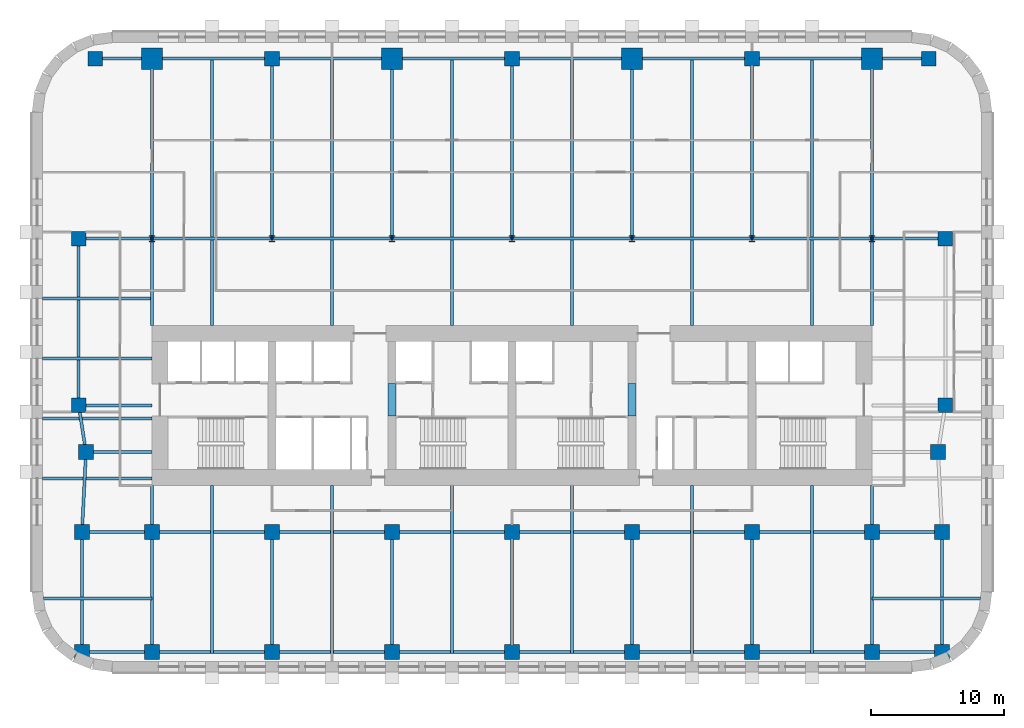
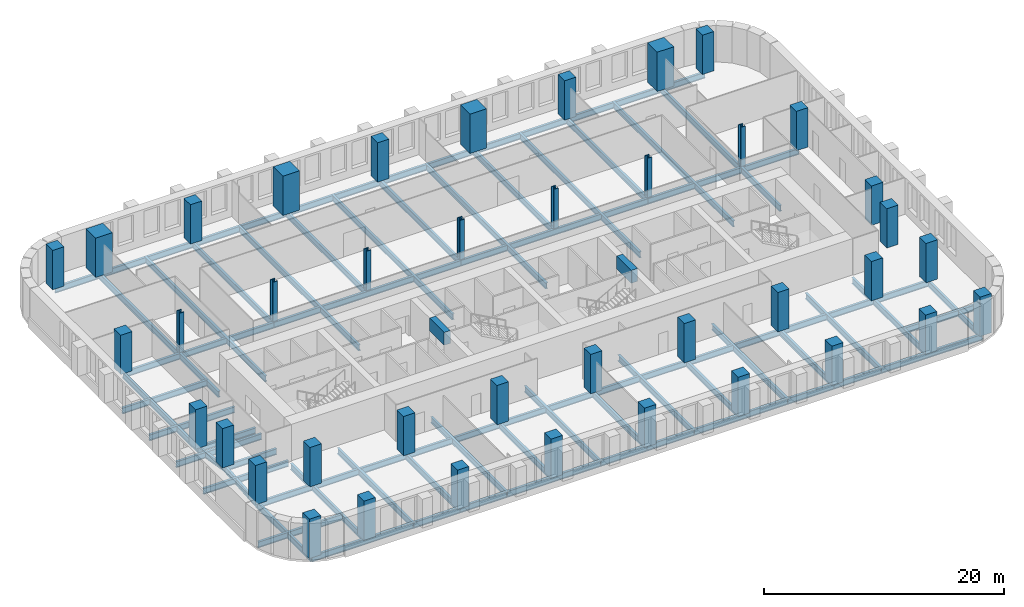
# One storey, part 1 of 12: 59 beams, 40 columns.
"""IFC4 building model written with IfcOpenShell, lengths in metres."""

from ifc_helpers import new_model, si_unit, direction, frame, origin, origin_2d, place, context, subcontext, project, spatial, rectangle, i_section, extrude, material, material_profile, profile_set, type_object, element, save


model = new_model("IFC4")

# Units and contexts
model_context = context("Model", 3, precision=1e-05, world=origin(), true_north=direction((0.0, 1.0)))
body_context = subcontext(model_context, "Body", "Model", "MODEL_VIEW")
ifc_project = project(units=[si_unit("LENGTHUNIT", "METRE"), si_unit("AREAUNIT", "SQUARE_METRE"), si_unit("VOLUMEUNIT", "CUBIC_METRE"), si_unit("PLANEANGLEUNIT", "RADIAN"), si_unit("MASSUNIT", "GRAM", prefix="KILO")], contexts=[model_context])

# Site, building, storey
site_placement = place(None, origin())
site = spatial("IfcSite", under=ifc_project, at=site_placement, CompositionType="ELEMENT")
building_placement = place(site_placement, origin())
building = spatial("IfcBuilding", under=site, at=building_placement, Name="Zellij Exchange Tower", CompositionType="ELEMENT")
storey_placement = place(building_placement, frame((0.0, 0.0, 96.5)))
storey = spatial("IfcBuildingStorey", under=building, at=storey_placement, Name="L20", CompositionType="ELEMENT", Elevation=96.5)

# Columns
ifc_material_1 = material(Name="Concrete C70/85", Category="concrete")
ifc_material_profile_1 = material_profile(ifc_material_1, rectangle(XDim=1.10009765625, YDim=1.10009765625, at=origin_2d()), Name="STR-COLUMN RC1100x1100 C70/85")
ifc_profile_set_1 = profile_set([ifc_material_profile_1], Name="Concrete C70/85")
column_type_1 = type_object("IfcColumnType", Name="STR-COLUMN RC1100x1100 C70/85", PredefinedType="COLUMN", material=ifc_profile_set_1)
for number, where, z_axis, x_axis, name in (
    (1, (-32.25, -26.5, 0.0), (0.0, 0.0, 1.0), (1.0, 0.0, 0.0), "C11"),
    (2, (-27.0, -26.5, 0.0), (0.0, 0.0, 1.0), (1.0, 0.0, 0.0), "C11"),
    (3, (-18.0, -26.5, 0.0), (0.0, 0.0, 1.0), (1.0, 0.0, 0.0), "C11"),
    (4, (-9.0, -26.5, 0.0), (0.0, 0.0, 1.0), (1.0, 0.0, 0.0), "C11"),
    (5, (0.0, -26.5, 0.0), (0.0, 0.0, 1.0), (1.0, 0.0, 0.0), "C11"),
    (6, (9.0, -26.5, 0.0), (0.0, 0.0, 1.0), (1.0, 0.0, 0.0), "C11"),
    (7, (18.0, -26.5, 0.0), (0.0, 0.0, 1.0), (1.0, 0.0, 0.0), "C11"),
    (8, (27.0, -26.5, 0.0), (0.0, 0.0, 1.0), (1.0, 0.0, 0.0), "C11"),
    (9, (32.25, -26.5, 0.0), (0.0, 0.0, 1.0), (1.0, 0.0, 0.0), "C11"),
    (10, (-32.25, -17.5, 0.0), (0.0, 0.0, 1.0), (1.0, 0.0, 0.0), "C11"),
    (11, (-27.0, -17.5, 0.0), (0.0, 0.0, 1.0), (1.0, 0.0, 0.0), "C11"),
    (12, (-18.0, -17.5, 0.0), (0.0, 0.0, 1.0), (1.0, 0.0, 0.0), "C11"),
    (13, (-9.0, -17.5, 0.0), (0.0, 0.0, 1.0), (1.0, 0.0, 0.0), "C11"),
    (14, (0.0, -17.5, 0.0), (0.0, 0.0, 1.0), (1.0, 0.0, 0.0), "C11"),
    (15, (9.0, -17.5, 0.0), (0.0, 0.0, 1.0), (1.0, 0.0, 0.0), "C11"),
    (16, (18.0, -17.5, 0.0), (0.0, 0.0, 1.0), (1.0, 0.0, 0.0), "C11"),
    (17, (27.0, -17.5, 0.0), (0.0, 0.0, 1.0), (1.0, 0.0, 0.0), "C11"),
    (18, (32.25, -17.5, 0.0), (0.0, 0.0, 1.0), (1.0, 0.0, 0.0), "C11"),
    (19, (-31.949951171875, -11.5, 0.0), (0.0, 0.0, 1.0), (1.0, 0.0, 0.0), "C11"),
    (20, (31.949951171875, -11.5, 0.0), (0.0, 0.0, 1.0), (1.0, 0.0, 0.0), "C11"),
    (21, (-32.5, -8.0, 0.0), (0.0, 0.0, 1.0), (1.0, 0.0, 0.0), "C11"),
    (22, (32.5, -8.0, 0.0), (0.0, 0.0, 1.0), (1.0, 0.0, 0.0), "C11"),
    (23, (-32.5, 4.5, 0.0), (0.0, 0.0, 1.0), (1.0, 0.0, 0.0), "C11"),
    (24, (32.5, 4.5, 0.0), (0.0, 0.0, 1.0), (1.0, 0.0, 0.0), "C11"),
    (25, (-31.25, 18.0, 0.0), (0.0, 0.0, 1.0), (1.0, 0.0, 0.0), "C11"),
    (26, (-18.0, 18.0, 0.0), (0.0, 0.0, 1.0), (1.0, 0.0, 0.0), "C11"),
    (27, (0.0, 18.0, 0.0), (0.0, 0.0, 1.0), (1.0, 0.0, 0.0), "C11"),
    (28, (18.0, 18.0, 0.0), (0.0, 0.0, 1.0), (1.0, 0.0, 0.0), "C11"),
    (29, (31.25, 18.0, 0.0), (0.0, 0.0, 1.0), (1.0, 0.0, 0.0), "C11"),
):
    element("IfcColumn", number, at=place(storey_placement, frame(where, z_axis=z_axis, x_axis=x_axis)), inside=storey, type_object=column_type_1, Name=name, PredefinedType="COLUMN", context=body_context, shape_type="SweptSolid", body=[
        extrude(rectangle(XDim=1.10009765625, YDim=1.10009765625, at=origin_2d()), origin(), (0.0, 0.0, 1.0), 4.0),
    ])
ifc_material_2 = material(Name="Structural steel ASTM A913 Gr 65", Category="steel")
ifc_material_profile_2 = material_profile(ifc_material_2, i_section(OverallWidth=0.431884765625, OverallDepth=0.497802734375, WebThickness=0.0556640625, FlangeThickness=0.0888671875, at=origin_2d()), Name="W14x500")
ifc_profile_set_2 = profile_set([ifc_material_profile_2], Name="Structural steel ASTM A913 Gr 65")
column_type_2 = type_object("IfcColumnType", Name="STR-COLUMN W14x500", PredefinedType="COLUMN", material=ifc_profile_set_2)
for number, where, z_axis, x_axis, name in (
    (30, (-27.0, 4.5, 0.0), (0.0, 0.0, 1.0), (1.0, 0.0, 0.0), "C5"),
    (31, (-18.0, 4.5, 0.0), (0.0, 0.0, 1.0), (1.0, 0.0, 0.0), "C5"),
    (32, (-9.0, 4.5, 0.0), (0.0, 0.0, 1.0), (1.0, 0.0, 0.0), "C5"),
    (33, (0.0, 4.5, 0.0), (0.0, 0.0, 1.0), (1.0, 0.0, 0.0), "C5"),
    (34, (9.0, 4.5, 0.0), (0.0, 0.0, 1.0), (1.0, 0.0, 0.0), "C5"),
    (35, (18.0, 4.5, 0.0), (0.0, 0.0, 1.0), (1.0, 0.0, 0.0), "C5"),
    (36, (27.0, 4.5, 0.0), (0.0, 0.0, 1.0), (1.0, 0.0, 0.0), "C5"),
):
    element("IfcColumn", number, at=place(storey_placement, frame(where, z_axis=z_axis, x_axis=x_axis)), inside=storey, type_object=column_type_2, Name=name, PredefinedType="COLUMN", context=body_context, shape_type="SweptSolid", body=[
        extrude(i_section(OverallWidth=0.431884765625, OverallDepth=0.497802734375, WebThickness=0.0556640625, FlangeThickness=0.0888671875, at=origin_2d()), origin(), (0.0, 0.0, 1.0), 4.0),
    ])
ifc_material_profile_3 = material_profile(ifc_material_1, rectangle(XDim=1.60009765625, YDim=1.60009765625, at=origin_2d()), Name="STR-MEGA COLUMN RC1600x1600 C70/85")
ifc_profile_set_3 = profile_set([ifc_material_profile_3], Name="Concrete C70/85")
column_type_3 = type_object("IfcColumnType", Name="STR-MEGA COLUMN RC1600x1600 C70/85", PredefinedType="COLUMN", material=ifc_profile_set_3)
for number, where, z_axis, x_axis, name in (
    (37, (-27.0, 18.0, 0.0), (0.0, 0.0, 1.0), (1.0, 0.0, 0.0), "MC6"),
    (38, (-9.0, 18.0, 0.0), (0.0, 0.0, 1.0), (1.0, 0.0, 0.0), "MC6"),
    (39, (9.0, 18.0, 0.0), (0.0, 0.0, 1.0), (1.0, 0.0, 0.0), "MC6"),
    (40, (27.0, 18.0, 0.0), (0.0, 0.0, 1.0), (1.0, 0.0, 0.0), "MC6"),
):
    element("IfcColumn", number, at=place(storey_placement, frame(where, z_axis=z_axis, x_axis=x_axis)), inside=storey, type_object=column_type_3, Name=name, PredefinedType="COLUMN", context=body_context, shape_type="SweptSolid", body=[
        extrude(rectangle(XDim=1.60009765625, YDim=1.60009765625, at=origin_2d()), origin(), (0.0, 0.0, 1.0), 4.0),
    ])

# Beams
ifc_material_profile_4 = material_profile(ifc_material_1, rectangle(XDim=0.60009765625, YDim=1.300048828125, at=origin_2d()), Name="CORE-CB 600x1300 C70/85")
ifc_profile_set_4 = profile_set([ifc_material_profile_4], Name="Concrete C70/85")
beam_type_1 = type_object("IfcBeamType", Name="CORE-CB 600x1300 C70/85", PredefinedType="BEAM", material=ifc_profile_set_4)
for number, where, z_axis, x_axis, name in (
    (41, (-9.0, -8.800048828125, 3.050048828125), (0.0, 1.0, 0.0), (-1.0, 0.0, 0.0), "Core coupling beam x -9 L20"),
    (42, (9.0, -8.800048828125, 3.050048828125), (0.0, 1.0, 0.0), (-1.0, 0.0, 0.0), "Core coupling beam x 9 L20"),
):
    element("IfcBeam", number, at=place(storey_placement, frame(where, z_axis=z_axis, x_axis=x_axis)), inside=storey, type_object=beam_type_1, Name=name, PredefinedType="BEAM", context=body_context, shape_type="SweptSolid", body=[
        extrude(rectangle(XDim=0.60009765625, YDim=1.300048828125, at=origin_2d()), origin(), (0.0, 0.0, 1.0), 2.425048828125),
    ])
ifc_material_3 = material(Name="Structural steel ASTM A992 Gr 50", Category="steel")
ifc_material_profile_5 = material_profile(ifc_material_3, i_section(OverallWidth=0.227783203125, OverallDepth=0.60205078125, WebThickness=0.010498046875, FlangeThickness=0.014892578125, at=origin_2d()), Name="W24x68")
ifc_profile_set_5 = profile_set([ifc_material_profile_5], Name="Structural steel ASTM A992 Gr 50")
beam_type_2 = type_object("IfcBeamType", Name="STR-BEAM W24x68", PredefinedType="BEAM", material=ifc_profile_set_5)
beam_1_placement = place(storey_placement, frame((-22.5, -26.614501953125, -0.5009765625), z_axis=(0.0, 1.0, 0.0), x_axis=(-1.0, 0.0, 0.0)))
element("IfcBeam", 43, at=beam_1_placement, inside=storey, type_object=beam_type_2, Name="B5", PredefinedType="BEAM", context=body_context, shape_type="SweptSolid", body=[
    extrude(i_section(OverallWidth=0.227783203125, OverallDepth=0.60205078125, WebThickness=0.010498046875, FlangeThickness=0.014892578125, at=origin_2d()), origin(), (0.0, 0.0, 1.0), 12.614501953125),
])
beam_2_placement = place(storey_placement, frame((-22.5, -2.0, -0.5009765625), z_axis=(0.0, 1.0, 0.0), x_axis=(-1.0, 0.0, 0.0)))
element("IfcBeam", 44, at=beam_2_placement, inside=storey, type_object=beam_type_2, Name="B5", PredefinedType="BEAM", context=body_context, shape_type="SweptSolid", body=[
    extrude(i_section(OverallWidth=0.227783203125, OverallDepth=0.60205078125, WebThickness=0.010498046875, FlangeThickness=0.014892578125, at=origin_2d()), origin(), (0.0, 0.0, 1.0), 20.114501953125),
])
beam_3_placement = place(storey_placement, frame((-13.5, -26.614501953125, -0.5009765625), z_axis=(0.0, 1.0, 0.0), x_axis=(-1.0, 0.0, 0.0)))
element("IfcBeam", 45, at=beam_3_placement, inside=storey, type_object=beam_type_2, Name="B5", PredefinedType="BEAM", context=body_context, shape_type="SweptSolid", body=[
    extrude(i_section(OverallWidth=0.227783203125, OverallDepth=0.60205078125, WebThickness=0.010498046875, FlangeThickness=0.014892578125, at=origin_2d()), origin(), (0.0, 0.0, 1.0), 12.614501953125),
])
beam_4_placement = place(storey_placement, frame((-13.5, -2.0, -0.5009765625), z_axis=(0.0, 1.0, 0.0), x_axis=(-1.0, 0.0, 0.0)))
element("IfcBeam", 46, at=beam_4_placement, inside=storey, type_object=beam_type_2, Name="B5", PredefinedType="BEAM", context=body_context, shape_type="SweptSolid", body=[
    extrude(i_section(OverallWidth=0.227783203125, OverallDepth=0.60205078125, WebThickness=0.010498046875, FlangeThickness=0.014892578125, at=origin_2d()), origin(), (0.0, 0.0, 1.0), 20.114501953125),
])
beam_5_placement = place(storey_placement, frame((-4.5, -26.614501953125, -0.5009765625), z_axis=(0.0, 1.0, 0.0), x_axis=(-1.0, 0.0, 0.0)))
element("IfcBeam", 47, at=beam_5_placement, inside=storey, type_object=beam_type_2, Name="B5", PredefinedType="BEAM", context=body_context, shape_type="SweptSolid", body=[
    extrude(i_section(OverallWidth=0.227783203125, OverallDepth=0.60205078125, WebThickness=0.010498046875, FlangeThickness=0.014892578125, at=origin_2d()), origin(), (0.0, 0.0, 1.0), 12.614501953125),
])
beam_6_placement = place(storey_placement, frame((-4.5, -2.0, -0.5009765625), z_axis=(0.0, 1.0, 0.0), x_axis=(-1.0, 0.0, 0.0)))
element("IfcBeam", 48, at=beam_6_placement, inside=storey, type_object=beam_type_2, Name="B5", PredefinedType="BEAM", context=body_context, shape_type="SweptSolid", body=[
    extrude(i_section(OverallWidth=0.227783203125, OverallDepth=0.60205078125, WebThickness=0.010498046875, FlangeThickness=0.014892578125, at=origin_2d()), origin(), (0.0, 0.0, 1.0), 20.114501953125),
])
beam_7_placement = place(storey_placement, frame((4.5, -26.614501953125, -0.5009765625), z_axis=(0.0, 1.0, 0.0), x_axis=(-1.0, 0.0, 0.0)))
element("IfcBeam", 49, at=beam_7_placement, inside=storey, type_object=beam_type_2, Name="B5", PredefinedType="BEAM", context=body_context, shape_type="SweptSolid", body=[
    extrude(i_section(OverallWidth=0.227783203125, OverallDepth=0.60205078125, WebThickness=0.010498046875, FlangeThickness=0.014892578125, at=origin_2d()), origin(), (0.0, 0.0, 1.0), 12.614501953125),
])
beam_8_placement = place(storey_placement, frame((4.5, -2.0, -0.5009765625), z_axis=(0.0, 1.0, 0.0), x_axis=(-1.0, 0.0, 0.0)))
element("IfcBeam", 50, at=beam_8_placement, inside=storey, type_object=beam_type_2, Name="B5", PredefinedType="BEAM", context=body_context, shape_type="SweptSolid", body=[
    extrude(i_section(OverallWidth=0.227783203125, OverallDepth=0.60205078125, WebThickness=0.010498046875, FlangeThickness=0.014892578125, at=origin_2d()), origin(), (0.0, 0.0, 1.0), 20.114501953125),
])
beam_9_placement = place(storey_placement, frame((13.5, -26.614501953125, -0.5009765625), z_axis=(0.0, 1.0, 0.0), x_axis=(-1.0, 0.0, 0.0)))
element("IfcBeam", 51, at=beam_9_placement, inside=storey, type_object=beam_type_2, Name="B5", PredefinedType="BEAM", context=body_context, shape_type="SweptSolid", body=[
    extrude(i_section(OverallWidth=0.227783203125, OverallDepth=0.60205078125, WebThickness=0.010498046875, FlangeThickness=0.014892578125, at=origin_2d()), origin(), (0.0, 0.0, 1.0), 12.614501953125),
])
beam_10_placement = place(storey_placement, frame((13.5, -2.0, -0.5009765625), z_axis=(0.0, 1.0, 0.0), x_axis=(-1.0, 0.0, 0.0)))
element("IfcBeam", 52, at=beam_10_placement, inside=storey, type_object=beam_type_2, Name="B5", PredefinedType="BEAM", context=body_context, shape_type="SweptSolid", body=[
    extrude(i_section(OverallWidth=0.227783203125, OverallDepth=0.60205078125, WebThickness=0.010498046875, FlangeThickness=0.014892578125, at=origin_2d()), origin(), (0.0, 0.0, 1.0), 20.114501953125),
])
beam_11_placement = place(storey_placement, frame((22.5, -26.614501953125, -0.5009765625), z_axis=(0.0, 1.0, 0.0), x_axis=(-1.0, 0.0, 0.0)))
element("IfcBeam", 53, at=beam_11_placement, inside=storey, type_object=beam_type_2, Name="B5", PredefinedType="BEAM", context=body_context, shape_type="SweptSolid", body=[
    extrude(i_section(OverallWidth=0.227783203125, OverallDepth=0.60205078125, WebThickness=0.010498046875, FlangeThickness=0.014892578125, at=origin_2d()), origin(), (0.0, 0.0, 1.0), 12.614501953125),
])
beam_12_placement = place(storey_placement, frame((22.5, -2.0, -0.5009765625), z_axis=(0.0, 1.0, 0.0), x_axis=(-1.0, 0.0, 0.0)))
element("IfcBeam", 54, at=beam_12_placement, inside=storey, type_object=beam_type_2, Name="B5", PredefinedType="BEAM", context=body_context, shape_type="SweptSolid", body=[
    extrude(i_section(OverallWidth=0.227783203125, OverallDepth=0.60205078125, WebThickness=0.010498046875, FlangeThickness=0.014892578125, at=origin_2d()), origin(), (0.0, 0.0, 1.0), 20.114501953125),
])
beam_13_placement = place(storey_placement, frame((-35.126953125, -22.5, -0.5009765625), z_axis=(1.0, 0.0, 0.0), x_axis=(0.0, 1.0, 0.0)))
element("IfcBeam", 55, at=beam_13_placement, inside=storey, type_object=beam_type_2, Name="B5", PredefinedType="BEAM", context=body_context, shape_type="SweptSolid", body=[
    extrude(i_section(OverallWidth=0.227783203125, OverallDepth=0.60205078125, WebThickness=0.010498046875, FlangeThickness=0.014892578125, at=origin_2d()), origin(), (0.0, 0.0, 1.0), 8.126953125),
])
for number, where, z_axis, x_axis, name in (
    (56, (-35.199951171875, -13.5, -0.5009765625), (1.0, 0.0, 0.0), (0.0, 1.0, 0.0), "B5"),
    (57, (-35.199951171875, -9.0, -0.5009765625), (1.0, 0.0, 0.0), (0.0, 1.0, 0.0), "B5"),
    (58, (-35.199951171875, -4.5, -0.5009765625), (1.0, 0.0, 0.0), (0.0, 1.0, 0.0), "B5"),
    (59, (-35.199951171875, 0.0, -0.5009765625), (1.0, 0.0, 0.0), (0.0, 1.0, 0.0), "B5"),
):
    element("IfcBeam", number, at=place(storey_placement, frame(where, z_axis=z_axis, x_axis=x_axis)), inside=storey, type_object=beam_type_2, Name=name, PredefinedType="BEAM", context=body_context, shape_type="SweptSolid", body=[
        extrude(i_section(OverallWidth=0.227783203125, OverallDepth=0.60205078125, WebThickness=0.010498046875, FlangeThickness=0.014892578125, at=origin_2d()), origin(), (0.0, 0.0, 1.0), 8.199951171875),
    ])
beam_14_placement = place(storey_placement, frame((27.0, -22.5, -0.5009765625), z_axis=(1.0, 0.0, 0.0), x_axis=(0.0, 1.0, 0.0)))
element("IfcBeam", 60, at=beam_14_placement, inside=storey, type_object=beam_type_2, Name="B5", PredefinedType="BEAM", context=body_context, shape_type="SweptSolid", body=[
    extrude(i_section(OverallWidth=0.227783203125, OverallDepth=0.60205078125, WebThickness=0.010498046875, FlangeThickness=0.014892578125, at=origin_2d()), origin(), (0.0, 0.0, 1.0), 8.126953125),
])
ifc_material_profile_6 = material_profile(ifc_material_3, i_section(OverallWidth=0.22900390625, OverallDepth=0.612060546875, WebThickness=0.011962890625, FlangeThickness=0.01953125, at=origin_2d()), Name="W24x84")
ifc_profile_set_6 = profile_set([ifc_material_profile_6], Name="Structural steel ASTM A992 Gr 50")
beam_type_3 = type_object("IfcBeamType", Name="STR-EDGE GIRDER W24x84", PredefinedType="BEAM", material=ifc_profile_set_6)
beam_15_placement = place(storey_placement, frame((-32.25, -26.5, -0.506103515625), z_axis=(0.0, 1.0, 0.0), x_axis=(-1.0, 0.0, 0.0)))
element("IfcBeam", 61, at=beam_15_placement, inside=storey, type_object=beam_type_3, Name="EB6", PredefinedType="BEAM", context=body_context, shape_type="SweptSolid", body=[
    extrude(i_section(OverallWidth=0.22900390625, OverallDepth=0.612060546875, WebThickness=0.011962890625, FlangeThickness=0.01953125, at=origin_2d()), origin(), (0.0, 0.0, 1.0), 9.0),
])
beam_16_placement = place(storey_placement, frame((-32.25, -17.5, -0.506103515625), z_axis=(0.049945724537, 0.998751933465, 0.0), x_axis=(-0.998751933465, 0.049945724537, 0.0)))
element("IfcBeam", 62, at=beam_16_placement, inside=storey, type_object=beam_type_3, Name="EB6", PredefinedType="BEAM", context=body_context, shape_type="SweptSolid", body=[
    extrude(i_section(OverallWidth=0.22900390625, OverallDepth=0.612060546875, WebThickness=0.011962890625, FlangeThickness=0.01953125, at=origin_2d()), origin(), (0.0, 0.0, 1.0), 6.007568359375),
])
beam_17_placement = place(storey_placement, frame((-31.949951171875, -11.5, -0.506103515625), z_axis=(-0.155251283593, 0.987875011802, 0.0), x_axis=(-0.987875011802, -0.155251283593, 0.0)))
element("IfcBeam", 63, at=beam_17_placement, inside=storey, type_object=beam_type_3, Name="EB6", PredefinedType="BEAM", context=body_context, shape_type="SweptSolid", body=[
    extrude(i_section(OverallWidth=0.22900390625, OverallDepth=0.612060546875, WebThickness=0.011962890625, FlangeThickness=0.01953125, at=origin_2d()), origin(), (0.0, 0.0, 1.0), 3.54296875),
])
beam_18_placement = place(storey_placement, frame((-32.5, -8.0, -0.506103515625), z_axis=(0.0, 1.0, 0.0), x_axis=(-1.0, 0.0, 0.0)))
element("IfcBeam", 64, at=beam_18_placement, inside=storey, type_object=beam_type_3, Name="EB6", PredefinedType="BEAM", context=body_context, shape_type="SweptSolid", body=[
    extrude(i_section(OverallWidth=0.22900390625, OverallDepth=0.612060546875, WebThickness=0.011962890625, FlangeThickness=0.01953125, at=origin_2d()), origin(), (0.0, 0.0, 1.0), 12.5),
])
beam_19_placement = place(storey_placement, frame((32.25, -26.5, -0.506103515625), z_axis=(0.0, 1.0, 0.0), x_axis=(-1.0, 0.0, 0.0)))
element("IfcBeam", 65, at=beam_19_placement, inside=storey, type_object=beam_type_3, Name="EB6", PredefinedType="BEAM", context=body_context, shape_type="SweptSolid", body=[
    extrude(i_section(OverallWidth=0.22900390625, OverallDepth=0.612060546875, WebThickness=0.011962890625, FlangeThickness=0.01953125, at=origin_2d()), origin(), (0.0, 0.0, 1.0), 9.0),
])
ifc_material_profile_7 = material_profile(ifc_material_3, i_section(OverallWidth=0.22900390625, OverallDepth=0.612060546875, WebThickness=0.011962890625, FlangeThickness=0.01953125, at=origin_2d()), Name="W24x84")
ifc_profile_set_7 = profile_set([ifc_material_profile_7], Name="Structural steel ASTM A992 Gr 50")
beam_type_4 = type_object("IfcBeamType", Name="STR-GIRDER W24x84", PredefinedType="BEAM", material=ifc_profile_set_7)
beam_20_placement = place(storey_placement, frame((-32.25, -26.5, -0.506103515625), z_axis=(1.0, 0.0, 0.0), x_axis=(0.0, 1.0, 0.0)))
element("IfcBeam", 66, at=beam_20_placement, inside=storey, type_object=beam_type_4, Name="G4", PredefinedType="BEAM", context=body_context, shape_type="SweptSolid", body=[
    extrude(i_section(OverallWidth=0.22900390625, OverallDepth=0.612060546875, WebThickness=0.011962890625, FlangeThickness=0.01953125, at=origin_2d()), origin(), (0.0, 0.0, 1.0), 14.25),
])
for number, where, z_axis, x_axis, name in (
    (67, (-18.0, -26.5, -0.506103515625), (1.0, 0.0, 0.0), (0.0, 1.0, 0.0), "G4"),
    (68, (0.0, -26.5, -0.506103515625), (1.0, 0.0, 0.0), (0.0, 1.0, 0.0), "G4"),
):
    element("IfcBeam", number, at=place(storey_placement, frame(where, z_axis=z_axis, x_axis=x_axis)), inside=storey, type_object=beam_type_4, Name=name, PredefinedType="BEAM", context=body_context, shape_type="SweptSolid", body=[
        extrude(i_section(OverallWidth=0.22900390625, OverallDepth=0.612060546875, WebThickness=0.011962890625, FlangeThickness=0.01953125, at=origin_2d()), origin(), (0.0, 0.0, 1.0), 18.0),
    ])
for number, where, z_axis, x_axis, name in (
    (69, (18.0, -26.5, -0.506103515625), (1.0, 0.0, 0.0), (0.0, 1.0, 0.0), "G4"),
    (70, (-32.25, -17.5, -0.506103515625), (1.0, 0.0, 0.0), (0.0, 1.0, 0.0), "G4"),
):
    element("IfcBeam", number, at=place(storey_placement, frame(where, z_axis=z_axis, x_axis=x_axis)), inside=storey, type_object=beam_type_4, Name=name, PredefinedType="BEAM", context=body_context, shape_type="SweptSolid", body=[
        extrude(i_section(OverallWidth=0.22900390625, OverallDepth=0.612060546875, WebThickness=0.011962890625, FlangeThickness=0.01953125, at=origin_2d()), origin(), (0.0, 0.0, 1.0), 14.25),
    ])
for number, where, z_axis, x_axis, name in (
    (71, (-18.0, -17.5, -0.506103515625), (1.0, 0.0, 0.0), (0.0, 1.0, 0.0), "G4"),
    (72, (0.0, -17.5, -0.506103515625), (1.0, 0.0, 0.0), (0.0, 1.0, 0.0), "G4"),
):
    element("IfcBeam", number, at=place(storey_placement, frame(where, z_axis=z_axis, x_axis=x_axis)), inside=storey, type_object=beam_type_4, Name=name, PredefinedType="BEAM", context=body_context, shape_type="SweptSolid", body=[
        extrude(i_section(OverallWidth=0.22900390625, OverallDepth=0.612060546875, WebThickness=0.011962890625, FlangeThickness=0.01953125, at=origin_2d()), origin(), (0.0, 0.0, 1.0), 18.0),
    ])
beam_21_placement = place(storey_placement, frame((18.0, -17.5, -0.506103515625), z_axis=(1.0, 0.0, 0.0), x_axis=(0.0, 1.0, 0.0)))
element("IfcBeam", 73, at=beam_21_placement, inside=storey, type_object=beam_type_4, Name="G4", PredefinedType="BEAM", context=body_context, shape_type="SweptSolid", body=[
    extrude(i_section(OverallWidth=0.22900390625, OverallDepth=0.612060546875, WebThickness=0.011962890625, FlangeThickness=0.01953125, at=origin_2d()), origin(), (0.0, 0.0, 1.0), 14.25),
])
beam_22_placement = place(storey_placement, frame((-31.949951171875, -11.5, -0.506103515625), z_axis=(1.0, 0.0, 0.0), x_axis=(0.0, 1.0, 0.0)))
element("IfcBeam", 74, at=beam_22_placement, inside=storey, type_object=beam_type_4, Name="G4", PredefinedType="BEAM", context=body_context, shape_type="SweptSolid", body=[
    extrude(i_section(OverallWidth=0.22900390625, OverallDepth=0.612060546875, WebThickness=0.011962890625, FlangeThickness=0.01953125, at=origin_2d()), origin(), (0.0, 0.0, 1.0), 4.949951171875),
])
beam_23_placement = place(storey_placement, frame((-32.5, -8.0, -0.506103515625), z_axis=(1.0, 0.0, 0.0), x_axis=(0.0, 1.0, 0.0)))
element("IfcBeam", 75, at=beam_23_placement, inside=storey, type_object=beam_type_4, Name="G4", PredefinedType="BEAM", context=body_context, shape_type="SweptSolid", body=[
    extrude(i_section(OverallWidth=0.22900390625, OverallDepth=0.612060546875, WebThickness=0.011962890625, FlangeThickness=0.01953125, at=origin_2d()), origin(), (0.0, 0.0, 1.0), 5.5),
])
beam_24_placement = place(storey_placement, frame((-32.5, 4.5, -0.506103515625), z_axis=(1.0, 0.0, 0.0), x_axis=(0.0, 1.0, 0.0)))
element("IfcBeam", 76, at=beam_24_placement, inside=storey, type_object=beam_type_4, Name="G4", PredefinedType="BEAM", context=body_context, shape_type="SweptSolid", body=[
    extrude(i_section(OverallWidth=0.22900390625, OverallDepth=0.612060546875, WebThickness=0.011962890625, FlangeThickness=0.01953125, at=origin_2d()), origin(), (0.0, 0.0, 1.0), 14.5),
])
for number, where, z_axis, x_axis, name in (
    (77, (-18.0, 4.5, -0.506103515625), (1.0, 0.0, 0.0), (0.0, 1.0, 0.0), "G4"),
    (78, (0.0, 4.5, -0.506103515625), (1.0, 0.0, 0.0), (0.0, 1.0, 0.0), "G4"),
):
    element("IfcBeam", number, at=place(storey_placement, frame(where, z_axis=z_axis, x_axis=x_axis)), inside=storey, type_object=beam_type_4, Name=name, PredefinedType="BEAM", context=body_context, shape_type="SweptSolid", body=[
        extrude(i_section(OverallWidth=0.22900390625, OverallDepth=0.612060546875, WebThickness=0.011962890625, FlangeThickness=0.01953125, at=origin_2d()), origin(), (0.0, 0.0, 1.0), 18.0),
    ])
beam_25_placement = place(storey_placement, frame((18.0, 4.5, -0.506103515625), z_axis=(1.0, 0.0, 0.0), x_axis=(0.0, 1.0, 0.0)))
element("IfcBeam", 79, at=beam_25_placement, inside=storey, type_object=beam_type_4, Name="G4", PredefinedType="BEAM", context=body_context, shape_type="SweptSolid", body=[
    extrude(i_section(OverallWidth=0.22900390625, OverallDepth=0.612060546875, WebThickness=0.011962890625, FlangeThickness=0.01953125, at=origin_2d()), origin(), (0.0, 0.0, 1.0), 14.5),
])
beam_26_placement = place(storey_placement, frame((-31.25, 18.0, -0.506103515625), z_axis=(1.0, 0.0, 0.0), x_axis=(0.0, 1.0, 0.0)))
element("IfcBeam", 80, at=beam_26_placement, inside=storey, type_object=beam_type_4, Name="G4", PredefinedType="BEAM", context=body_context, shape_type="SweptSolid", body=[
    extrude(i_section(OverallWidth=0.22900390625, OverallDepth=0.612060546875, WebThickness=0.011962890625, FlangeThickness=0.01953125, at=origin_2d()), origin(), (0.0, 0.0, 1.0), 13.25),
])
for number, where, z_axis, x_axis, name in (
    (81, (-18.0, 18.0, -0.506103515625), (1.0, 0.0, 0.0), (0.0, 1.0, 0.0), "G4"),
    (82, (0.0, 18.0, -0.506103515625), (1.0, 0.0, 0.0), (0.0, 1.0, 0.0), "G4"),
):
    element("IfcBeam", number, at=place(storey_placement, frame(where, z_axis=z_axis, x_axis=x_axis)), inside=storey, type_object=beam_type_4, Name=name, PredefinedType="BEAM", context=body_context, shape_type="SweptSolid", body=[
        extrude(i_section(OverallWidth=0.22900390625, OverallDepth=0.612060546875, WebThickness=0.011962890625, FlangeThickness=0.01953125, at=origin_2d()), origin(), (0.0, 0.0, 1.0), 18.0),
    ])
beam_27_placement = place(storey_placement, frame((18.0, 18.0, -0.506103515625), z_axis=(1.0, 0.0, 0.0), x_axis=(0.0, 1.0, 0.0)))
element("IfcBeam", 83, at=beam_27_placement, inside=storey, type_object=beam_type_4, Name="G4", PredefinedType="BEAM", context=body_context, shape_type="SweptSolid", body=[
    extrude(i_section(OverallWidth=0.22900390625, OverallDepth=0.612060546875, WebThickness=0.011962890625, FlangeThickness=0.01953125, at=origin_2d()), origin(), (0.0, 0.0, 1.0), 13.25),
])
beam_28_placement = place(storey_placement, frame((-27.0, -26.5, -0.506103515625), z_axis=(0.0, 1.0, 0.0), x_axis=(-1.0, 0.0, 0.0)))
element("IfcBeam", 84, at=beam_28_placement, inside=storey, type_object=beam_type_4, Name="G4", PredefinedType="BEAM", context=body_context, shape_type="SweptSolid", body=[
    extrude(i_section(OverallWidth=0.22900390625, OverallDepth=0.612060546875, WebThickness=0.011962890625, FlangeThickness=0.01953125, at=origin_2d()), origin(), (0.0, 0.0, 1.0), 12.5),
])
beam_29_placement = place(storey_placement, frame((-27.0, -2.0, -0.506103515625), z_axis=(0.0, 1.0, 0.0), x_axis=(-1.0, 0.0, 0.0)))
element("IfcBeam", 85, at=beam_29_placement, inside=storey, type_object=beam_type_4, Name="G4", PredefinedType="BEAM", context=body_context, shape_type="SweptSolid", body=[
    extrude(i_section(OverallWidth=0.22900390625, OverallDepth=0.612060546875, WebThickness=0.011962890625, FlangeThickness=0.01953125, at=origin_2d()), origin(), (0.0, 0.0, 1.0), 6.5),
])
beam_30_placement = place(storey_placement, frame((-27.0, 4.5, -0.506103515625), z_axis=(0.0, 1.0, 0.0), x_axis=(-1.0, 0.0, 0.0)))
element("IfcBeam", 86, at=beam_30_placement, inside=storey, type_object=beam_type_4, Name="G4", PredefinedType="BEAM", context=body_context, shape_type="SweptSolid", body=[
    extrude(i_section(OverallWidth=0.22900390625, OverallDepth=0.612060546875, WebThickness=0.011962890625, FlangeThickness=0.01953125, at=origin_2d()), origin(), (0.0, 0.0, 1.0), 13.5),
])
beam_31_placement = place(storey_placement, frame((-18.0, -26.5, -0.506103515625), z_axis=(0.0, 1.0, 0.0), x_axis=(-1.0, 0.0, 0.0)))
element("IfcBeam", 87, at=beam_31_placement, inside=storey, type_object=beam_type_4, Name="G4", PredefinedType="BEAM", context=body_context, shape_type="SweptSolid", body=[
    extrude(i_section(OverallWidth=0.22900390625, OverallDepth=0.612060546875, WebThickness=0.011962890625, FlangeThickness=0.01953125, at=origin_2d()), origin(), (0.0, 0.0, 1.0), 9.0),
])
beam_32_placement = place(storey_placement, frame((-18.0, 4.5, -0.506103515625), z_axis=(0.0, 1.0, 0.0), x_axis=(-1.0, 0.0, 0.0)))
element("IfcBeam", 88, at=beam_32_placement, inside=storey, type_object=beam_type_4, Name="G4", PredefinedType="BEAM", context=body_context, shape_type="SweptSolid", body=[
    extrude(i_section(OverallWidth=0.22900390625, OverallDepth=0.612060546875, WebThickness=0.011962890625, FlangeThickness=0.01953125, at=origin_2d()), origin(), (0.0, 0.0, 1.0), 13.5),
])
beam_33_placement = place(storey_placement, frame((-9.0, -26.5, -0.506103515625), z_axis=(0.0, 1.0, 0.0), x_axis=(-1.0, 0.0, 0.0)))
element("IfcBeam", 89, at=beam_33_placement, inside=storey, type_object=beam_type_4, Name="G4", PredefinedType="BEAM", context=body_context, shape_type="SweptSolid", body=[
    extrude(i_section(OverallWidth=0.22900390625, OverallDepth=0.612060546875, WebThickness=0.011962890625, FlangeThickness=0.01953125, at=origin_2d()), origin(), (0.0, 0.0, 1.0), 9.0),
])
beam_34_placement = place(storey_placement, frame((-9.0, 4.5, -0.506103515625), z_axis=(0.0, 1.0, 0.0), x_axis=(-1.0, 0.0, 0.0)))
element("IfcBeam", 90, at=beam_34_placement, inside=storey, type_object=beam_type_4, Name="G4", PredefinedType="BEAM", context=body_context, shape_type="SweptSolid", body=[
    extrude(i_section(OverallWidth=0.22900390625, OverallDepth=0.612060546875, WebThickness=0.011962890625, FlangeThickness=0.01953125, at=origin_2d()), origin(), (0.0, 0.0, 1.0), 13.5),
])
beam_35_placement = place(storey_placement, frame((0.0, -26.5, -0.506103515625), z_axis=(0.0, 1.0, 0.0), x_axis=(-1.0, 0.0, 0.0)))
element("IfcBeam", 91, at=beam_35_placement, inside=storey, type_object=beam_type_4, Name="G4", PredefinedType="BEAM", context=body_context, shape_type="SweptSolid", body=[
    extrude(i_section(OverallWidth=0.22900390625, OverallDepth=0.612060546875, WebThickness=0.011962890625, FlangeThickness=0.01953125, at=origin_2d()), origin(), (0.0, 0.0, 1.0), 9.0),
])
beam_36_placement = place(storey_placement, frame((0.0, 4.5, -0.506103515625), z_axis=(0.0, 1.0, 0.0), x_axis=(-1.0, 0.0, 0.0)))
element("IfcBeam", 92, at=beam_36_placement, inside=storey, type_object=beam_type_4, Name="G4", PredefinedType="BEAM", context=body_context, shape_type="SweptSolid", body=[
    extrude(i_section(OverallWidth=0.22900390625, OverallDepth=0.612060546875, WebThickness=0.011962890625, FlangeThickness=0.01953125, at=origin_2d()), origin(), (0.0, 0.0, 1.0), 13.5),
])
beam_37_placement = place(storey_placement, frame((9.0, -26.5, -0.506103515625), z_axis=(0.0, 1.0, 0.0), x_axis=(-1.0, 0.0, 0.0)))
element("IfcBeam", 93, at=beam_37_placement, inside=storey, type_object=beam_type_4, Name="G4", PredefinedType="BEAM", context=body_context, shape_type="SweptSolid", body=[
    extrude(i_section(OverallWidth=0.22900390625, OverallDepth=0.612060546875, WebThickness=0.011962890625, FlangeThickness=0.01953125, at=origin_2d()), origin(), (0.0, 0.0, 1.0), 9.0),
])
beam_38_placement = place(storey_placement, frame((9.0, 4.5, -0.506103515625), z_axis=(0.0, 1.0, 0.0), x_axis=(-1.0, 0.0, 0.0)))
element("IfcBeam", 94, at=beam_38_placement, inside=storey, type_object=beam_type_4, Name="G4", PredefinedType="BEAM", context=body_context, shape_type="SweptSolid", body=[
    extrude(i_section(OverallWidth=0.22900390625, OverallDepth=0.612060546875, WebThickness=0.011962890625, FlangeThickness=0.01953125, at=origin_2d()), origin(), (0.0, 0.0, 1.0), 13.5),
])
beam_39_placement = place(storey_placement, frame((18.0, -26.5, -0.506103515625), z_axis=(0.0, 1.0, 0.0), x_axis=(-1.0, 0.0, 0.0)))
element("IfcBeam", 95, at=beam_39_placement, inside=storey, type_object=beam_type_4, Name="G4", PredefinedType="BEAM", context=body_context, shape_type="SweptSolid", body=[
    extrude(i_section(OverallWidth=0.22900390625, OverallDepth=0.612060546875, WebThickness=0.011962890625, FlangeThickness=0.01953125, at=origin_2d()), origin(), (0.0, 0.0, 1.0), 9.0),
])
beam_40_placement = place(storey_placement, frame((18.0, 4.5, -0.506103515625), z_axis=(0.0, 1.0, 0.0), x_axis=(-1.0, 0.0, 0.0)))
element("IfcBeam", 96, at=beam_40_placement, inside=storey, type_object=beam_type_4, Name="G4", PredefinedType="BEAM", context=body_context, shape_type="SweptSolid", body=[
    extrude(i_section(OverallWidth=0.22900390625, OverallDepth=0.612060546875, WebThickness=0.011962890625, FlangeThickness=0.01953125, at=origin_2d()), origin(), (0.0, 0.0, 1.0), 13.5),
])
beam_41_placement = place(storey_placement, frame((27.0, -26.5, -0.506103515625), z_axis=(0.0, 1.0, 0.0), x_axis=(-1.0, 0.0, 0.0)))
element("IfcBeam", 97, at=beam_41_placement, inside=storey, type_object=beam_type_4, Name="G4", PredefinedType="BEAM", context=body_context, shape_type="SweptSolid", body=[
    extrude(i_section(OverallWidth=0.22900390625, OverallDepth=0.612060546875, WebThickness=0.011962890625, FlangeThickness=0.01953125, at=origin_2d()), origin(), (0.0, 0.0, 1.0), 12.5),
])
beam_42_placement = place(storey_placement, frame((27.0, -2.0, -0.506103515625), z_axis=(0.0, 1.0, 0.0), x_axis=(-1.0, 0.0, 0.0)))
element("IfcBeam", 98, at=beam_42_placement, inside=storey, type_object=beam_type_4, Name="G4", PredefinedType="BEAM", context=body_context, shape_type="SweptSolid", body=[
    extrude(i_section(OverallWidth=0.22900390625, OverallDepth=0.612060546875, WebThickness=0.011962890625, FlangeThickness=0.01953125, at=origin_2d()), origin(), (0.0, 0.0, 1.0), 6.5),
])
beam_43_placement = place(storey_placement, frame((27.0, 4.5, -0.506103515625), z_axis=(0.0, 1.0, 0.0), x_axis=(-1.0, 0.0, 0.0)))
element("IfcBeam", 99, at=beam_43_placement, inside=storey, type_object=beam_type_4, Name="G4", PredefinedType="BEAM", context=body_context, shape_type="SweptSolid", body=[
    extrude(i_section(OverallWidth=0.22900390625, OverallDepth=0.612060546875, WebThickness=0.011962890625, FlangeThickness=0.01953125, at=origin_2d()), origin(), (0.0, 0.0, 1.0), 13.5),
])

save(model, "model.ifc")
